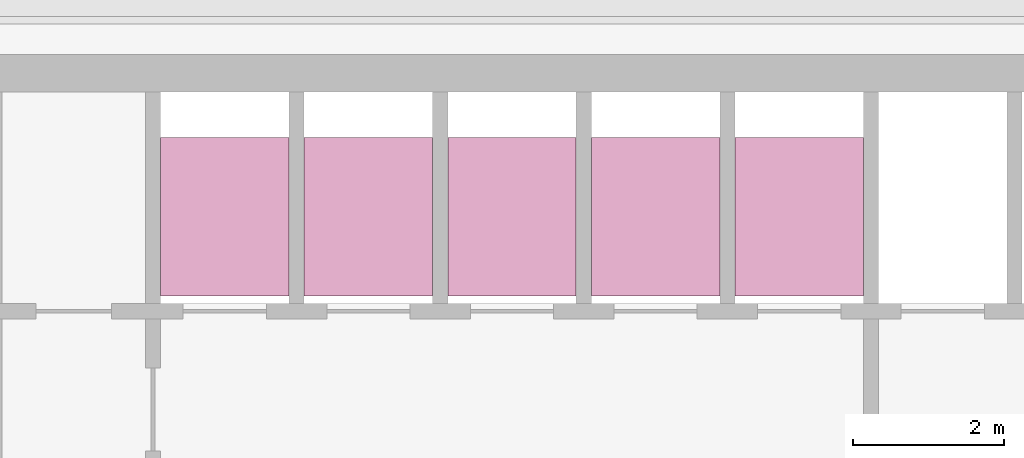
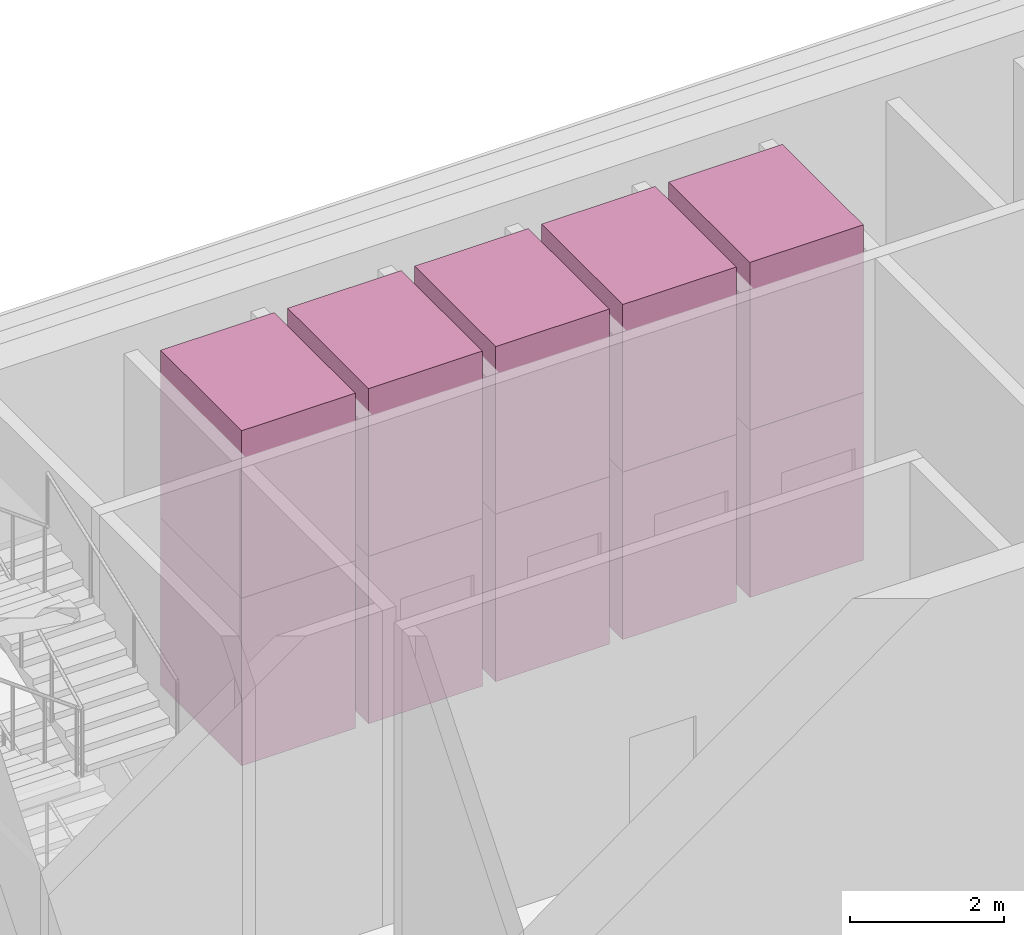
# One storey, part 13 of 13: 10 transport elements.
"""IFC4 building model written with IfcOpenShell, lengths in metres."""

from ifc_helpers import new_model, si_unit, direction, frame, origin, origin_2d, place, context, subcontext, project, spatial, rectangle, extrude, material, type_object, element, save


model = new_model("IFC4")

# Units and contexts
model_context = context("Model", 3, precision=1e-05, world=origin(), true_north=direction((0.0, 1.0)))
body_context = subcontext(model_context, "Body", "Model", "MODEL_VIEW")
ifc_project = project(units=[si_unit("LENGTHUNIT", "METRE"), si_unit("AREAUNIT", "SQUARE_METRE"), si_unit("VOLUMEUNIT", "CUBIC_METRE"), si_unit("PLANEANGLEUNIT", "RADIAN"), si_unit("MASSUNIT", "GRAM", prefix="KILO")], contexts=[model_context])

# Site, building, storey
site_placement = place(None, origin())
site = spatial("IfcSite", under=ifc_project, at=site_placement, CompositionType="ELEMENT")
building_placement = place(site_placement, origin())
building = spatial("IfcBuilding", under=site, at=building_placement, Name="Altiplano Prism Tower", CompositionType="ELEMENT")
storey_placement = place(building_placement, frame((0.0, 0.0, 286.0)))
storey = spatial("IfcBuildingStorey", under=building, at=storey_placement, Name="L74", CompositionType="ELEMENT", Elevation=286.0)

# Transport elements
ifc_material = material(Name="Stainless steel lift car", Category="steel")
transport_element_type = type_object("IfcTransportElementType", Name="Passenger lift car 1600 x 2100", PredefinedType="ELEVATOR", material=ifc_material)
for number, where, z_axis, x_axis, name in (
    (1, (79.050048828125, 101.75, 0.050048828125), (0.0, 0.0, 1.0), (1.0, 0.0, 0.0), "High Zone Passenger Lift 1"),
    (2, (79.050048828125, 101.75, 2.699951171875), (0.0, 0.0, 1.0), (1.0, 0.0, 0.0), "High Zone Passenger Lift 1"),
    (3, (80.949951171875, 101.75, 0.050048828125), (0.0, 0.0, 1.0), (1.0, 0.0, 0.0), "High Zone Passenger Lift 2"),
    (4, (80.949951171875, 101.75, 2.699951171875), (0.0, 0.0, 1.0), (1.0, 0.0, 0.0), "High Zone Passenger Lift 2"),
    (5, (82.85009765625, 101.75, 0.050048828125), (0.0, 0.0, 1.0), (1.0, 0.0, 0.0), "High Zone Passenger Lift 3"),
    (6, (82.85009765625, 101.75, 2.699951171875), (0.0, 0.0, 1.0), (1.0, 0.0, 0.0), "High Zone Passenger Lift 3"),
    (7, (84.75, 101.75, 0.050048828125), (0.0, 0.0, 1.0), (1.0, 0.0, 0.0), "High Zone Passenger Lift 4"),
    (8, (84.75, 101.75, 2.699951171875), (0.0, 0.0, 1.0), (1.0, 0.0, 0.0), "High Zone Passenger Lift 4"),
    (9, (86.64990234375, 101.75, 0.050048828125), (0.0, 0.0, 1.0), (1.0, 0.0, 0.0), "High Zone Passenger Lift 5"),
    (10, (86.64990234375, 101.75, 2.699951171875), (0.0, 0.0, 1.0), (1.0, 0.0, 0.0), "High Zone Passenger Lift 5"),
):
    element("IfcTransportElement", number, at=place(storey_placement, frame(where, z_axis=z_axis, x_axis=x_axis)), inside=storey, type_object=transport_element_type, Name=name, PredefinedType="ELEVATOR", context=body_context, shape_type="SweptSolid", body=[
        extrude(rectangle(XDim=1.699951171875, YDim=2.10009765625, at=origin_2d()), origin(), (0.0, 0.0, 1.0), 2.64990234375),
    ])

save(model, "model.ifc")
